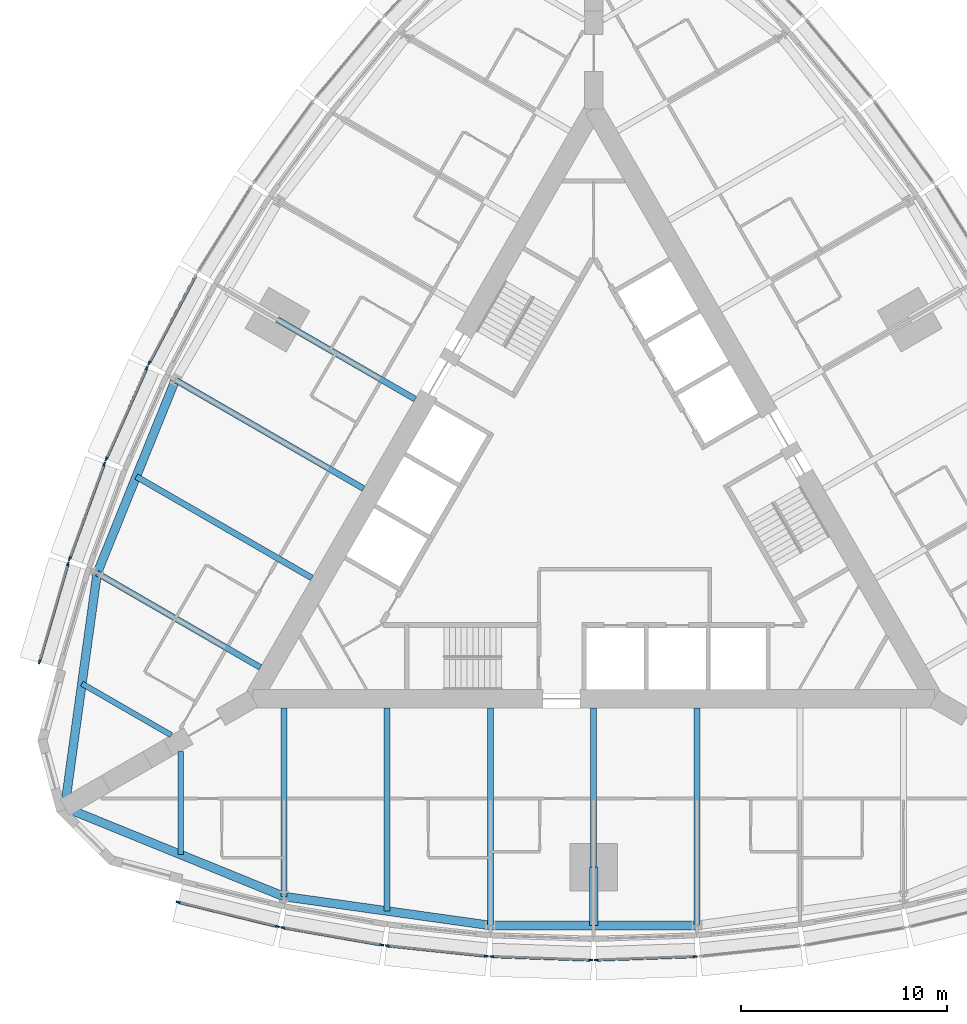
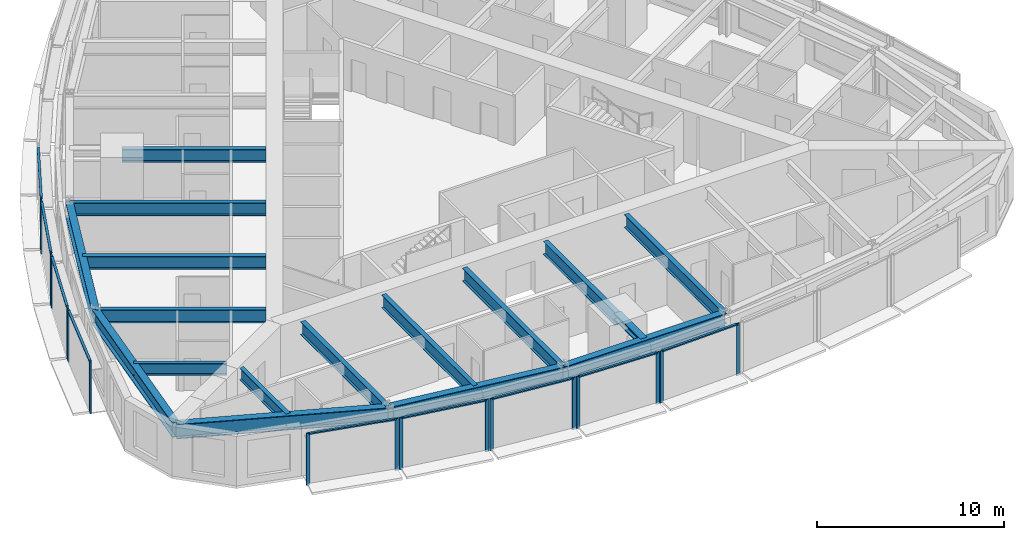
# One storey, part 2 of 14: 26 members, 17 beams, 9 elements without a shape of their own.
"""IFC4 building model written with IfcOpenShell, lengths in metres."""

import ifcopenshell
import ifcopenshell.guid

model = None  # the IFC model being written
_history = None  # IfcOwnerHistory: only IFC2X3 demands one
_inside = {}  # id of a spatial element -> (the spatial element, [elements in it])
_under = {}  # id of a project, library or spatial element -> (it, [spatial elements below it])
_declared = {}  # id of a project -> (the project, [libraries it declares])
_typed = {}  # id of a type object -> (the type object, [elements of that type])
_made_of = {}  # id of a material, layer set ... -> (it, [elements and type objects made of it])


def new_model(schema):
    """Start an empty IFC model of exactly this schema.

    Asked for "IFC4X3", IfcOpenShell would pick the latest addendum, in which some entities
    have other attributes; the version numbers below select the first issue.
    IFC2X3 requires an IfcOwnerHistory on every rooted entity: one is made here for all.
    """
    global model, _history
    if schema == "IFC4X3":
        model = ifcopenshell.file(schema_version=(4, 3, 0, 0))
    else:
        model = ifcopenshell.file(schema=schema)
    _inside.clear()
    _under.clear()
    _declared.clear()
    _typed.clear()
    _made_of.clear()
    _history = None
    if model.schema == "IFC2X3":
        org = make("IfcOrganization", Name="unknown")
        user = make(
            "IfcPersonAndOrganization",
            ThePerson=make("IfcPerson", FamilyName="unknown"),
            TheOrganization=org,
        )
        app = make(
            "IfcApplication",
            ApplicationDeveloper=org,
            Version="unknown",
            ApplicationFullName="unknown",
            ApplicationIdentifier="unknown",
        )
        _history = make(
            "IfcOwnerHistory",
            OwningUser=user,
            OwningApplication=app,
            ChangeAction="ADDED",
            CreationDate=0,
        )
    return model


def make(cls, **values):
    """One entity of the class cls with the attributes given. An attribute that is None is left unset."""
    return model.create_entity(
        cls, **{name: value for name, value in values.items() if value is not None}
    )


def rooted(cls, **values):
    """An entity with a GlobalId (a new one), such as an element, a storey or a relation."""
    return make(cls, GlobalId=ifcopenshell.guid.new(), OwnerHistory=_history, **values)


def si_unit(unit_type, name, prefix=None):
    """IfcSIUnit, for example si_unit("LENGTHUNIT", "METRE", prefix="MILLI")."""
    return make("IfcSIUnit", UnitType=unit_type, Prefix=prefix, Name=name)


def assignment(units):
    """IfcUnitAssignment: the units of a project."""
    return None if units is None else make("IfcUnitAssignment", Units=units)


def point(xyz):
    """IfcCartesianPoint."""
    return None if xyz is None else make("IfcCartesianPoint", Coordinates=xyz)


def direction(xyz):
    """IfcDirection."""
    return None if xyz is None else make("IfcDirection", DirectionRatios=xyz)


def frame(location, z_axis=None, x_axis=None):
    """IfcAxis2Placement3D, a coordinate frame: its origin and axes. An axis left out is left unset."""
    return make(
        "IfcAxis2Placement3D",
        Location=point(location),
        Axis=direction(z_axis),
        RefDirection=direction(x_axis),
    )


def frame_2d(location, x_axis=None):
    """IfcAxis2Placement2D, a coordinate frame in the plane: its origin and x axis."""
    return make(
        "IfcAxis2Placement2D", Location=point(location), RefDirection=direction(x_axis)
    )


def origin():
    """The frame at (0, 0, 0) with its axes left unset."""
    return frame((0.0, 0.0, 0.0))


def origin_2d():
    """The frame at (0, 0) in the plane with its x axis left unset."""
    return frame_2d((0.0, 0.0))


def place(relative_to, where):
    """IfcLocalPlacement: puts the frame where relative to a parent placement (None: the world)."""
    return make(
        "IfcLocalPlacement", PlacementRelTo=relative_to, RelativePlacement=where
    )


def context(
    kind, dimensions, precision=None, world=None, true_north=None, identifier=None
):
    """IfcGeometricRepresentationContext, for example the 3D "Model" context."""
    return make(
        "IfcGeometricRepresentationContext",
        ContextIdentifier=identifier,
        ContextType=kind,
        CoordinateSpaceDimension=dimensions,
        Precision=precision,
        WorldCoordinateSystem=world,
        TrueNorth=true_north,
    )


def subcontext(parent, identifier, kind, view, scale=None):
    """IfcGeometricRepresentationSubContext, for example "Body" below "Model"."""
    return make(
        "IfcGeometricRepresentationSubContext",
        ContextIdentifier=identifier,
        ContextType=kind,
        ParentContext=parent,
        TargetScale=scale,
        TargetView=view,
    )


def project(units=None, contexts=None):
    """IfcProject with its units and contexts."""
    return rooted(
        "IfcProject",
        Name="project",
        RepresentationContexts=contexts,
        UnitsInContext=assignment(units),
    )


def spatial(cls, under=None, at=None, **own):
    """A site, building, storey or space (cls), placed at a placement, below another one or the project."""
    s = rooted(cls, ObjectPlacement=at, **own)
    if under is not None:
        _under.setdefault(under.id(), (under, []))[1].append(s)
    return s


def profile(cls, at=None, kind="AREA", **sizes):
    """A parametric profile (cls). Its sizes go by their IFC names, for example OverallWidth=200.0."""
    return make(cls, ProfileType=kind, Position=at, **sizes)


def rectangle(**sizes):
    """IfcRectangleProfileDef."""
    return profile("IfcRectangleProfileDef", **sizes)


def i_section(**sizes):
    """IfcIShapeProfileDef."""
    return profile("IfcIShapeProfileDef", **sizes)


def extrude(swept, where, along, depth):
    """IfcExtrudedAreaSolid: the profile swept, set in the frame where, extruded along a direction by depth."""
    return make(
        "IfcExtrudedAreaSolid",
        SweptArea=swept,
        Position=where,
        ExtrudedDirection=direction(along),
        Depth=depth,
    )


def shape(context_of_items, identifier, shape_type, items):
    """IfcShapeRepresentation: the items that make up one representation, for example the "Body"."""
    return make(
        "IfcShapeRepresentation",
        ContextOfItems=context_of_items,
        RepresentationIdentifier=identifier,
        RepresentationType=shape_type,
        Items=items,
    )


def material(Name=None, Category=None):
    """IfcMaterial."""
    return make("IfcMaterial", Name=Name, Category=Category)


def material_profile(
    of_material, cross_section, Name=None, Category=None, Priority=None
):
    """IfcMaterialProfile: a cross section and its material."""
    return make(
        "IfcMaterialProfile",
        Name=Name,
        Material=of_material,
        Profile=cross_section,
        Priority=Priority,
        Category=Category,
    )


def profile_set(profiles, Name=None, composite=None):
    """IfcMaterialProfileSet."""
    return make(
        "IfcMaterialProfileSet",
        Name=Name,
        MaterialProfiles=profiles,
        CompositeProfile=composite,
    )


def made_of(thing, what):
    """Note that an element or type object is made of a material, layer set ...; save() writes the relation."""
    if what is not None:
        _made_of.setdefault(what.id(), (what, []))[1].append(thing)
    return thing


def type_object(cls, material=None, **own):
    """A type object (cls), such as IfcWallType, which elements share."""
    return made_of(rooted(cls, **own), material)


def element(
    cls,
    number,
    at=None,
    inside=None,
    cuts=None,
    type_object=None,
    material=None,
    context=None,
    identifier="Body",
    shape_type=None,
    held_by="IfcProductDefinitionShape",
    body=None,
    shapes=None,
    **own,
):
    """One element of the class cls, such as IfcWall. Its Tag is "e" and its number.

    at: its placement. inside: the storey or other place that contains it. cuts: it is an
    opening in that element (IfcRelVoidsElement). A single representation is given by context,
    identifier, shape_type and body (its items); several are given by shapes. held_by: the class
    of the entity that holds the representations. save() writes the other relations.
    """
    e = rooted(cls, Tag="e%d" % number, ObjectPlacement=at, **own)
    if body is not None:
        shapes = [shape(context, identifier, shape_type, body)]
    if shapes is not None:
        e.Representation = make(held_by, Representations=shapes)
    if inside is not None:
        _inside.setdefault(inside.id(), (inside, []))[1].append(e)
    if cuts is not None:
        rooted(
            "IfcRelVoidsElement", RelatingBuildingElement=cuts, RelatedOpeningElement=e
        )
    if type_object is not None:
        _typed.setdefault(type_object.id(), (type_object, []))[1].append(e)
    return made_of(e, material)


def aggregate(whole, parts):
    """IfcRelAggregates: a whole, such as a stair, and the parts it consists of."""
    return rooted("IfcRelAggregates", RelatingObject=whole, RelatedObjects=parts)


def save(model, path):
    """Write the relations noted so far, then the file.

    IfcRelAggregates (storeys below a building ...), IfcRelContainedInSpatialStructure (elements
    in a storey), IfcRelDefinesByType, IfcRelAssociatesMaterial and IfcRelDeclares: one each for
    every whole, place, type object, material and project.
    """
    for whole, parts in _under.values():
        aggregate(whole, parts)
    for where, things in _inside.values():
        rooted(
            "IfcRelContainedInSpatialStructure",
            RelatedElements=things,
            RelatingStructure=where,
        )
    for kind, things in _typed.values():
        rooted("IfcRelDefinesByType", RelatedObjects=things, RelatingType=kind)
    for what, things in _made_of.values():
        rooted("IfcRelAssociatesMaterial", RelatedObjects=things, RelatingMaterial=what)
    for by, libraries in _declared.values():
        rooted("IfcRelDeclares", RelatingContext=by, RelatedDefinitions=libraries)
    model.write(path)


model = new_model("IFC4")

# Units and contexts
model_context = context("Model", 3, precision=1e-05, world=origin(), true_north=direction((0.0, 1.0)))
body_context = subcontext(model_context, "Body", "Model", "MODEL_VIEW")
ifc_project = project(units=[si_unit("LENGTHUNIT", "METRE"), si_unit("AREAUNIT", "SQUARE_METRE"), si_unit("VOLUMEUNIT", "CUBIC_METRE"), si_unit("PLANEANGLEUNIT", "RADIAN"), si_unit("MASSUNIT", "GRAM", prefix="KILO")], contexts=[model_context])

# Site, building, storey
site_placement = place(None, origin())
site = spatial("IfcSite", under=ifc_project, at=site_placement, CompositionType="ELEMENT")
building_placement = place(site_placement, origin())
building = spatial("IfcBuilding", under=site, at=building_placement, Name="Trikona Tower", CompositionType="ELEMENT")
storey_placement = place(building_placement, frame((0.0, 0.0, 131.699951171875)))
storey = spatial("IfcBuildingStorey", under=building, at=storey_placement, Name="L34", CompositionType="ELEMENT", Elevation=131.699951171875)

# Curtain wall, members
ifc_material_1 = material(Name="Aluminium curtain wall system", Category="aluminium")
curtain_wall_type = type_object("IfcCurtainWallType", Name="Curtain wall DS2", PredefinedType="NOTDEFINED", material=ifc_material_1)
curtain_wall_1_placement = place(storey_placement, origin())
curtain_wall_1 = element("IfcCurtainWall", 1, at=curtain_wall_1_placement, inside=storey, type_object=curtain_wall_type, Name="Curtain wall DS2 L34", PredefinedType="NOTDEFINED")
ifc_material_2 = material(Name="Aluminium mullion, pale anodised", Category="aluminium")
ifc_material_profile_1 = material_profile(ifc_material_2, rectangle(XDim=0.080078125, YDim=0.199951171875, at=origin_2d()), Name="MUL-DS2")
ifc_profile_set_1 = profile_set([ifc_material_profile_1], Name="Aluminium mullion, pale anodised")
member_type_1 = type_object("IfcMemberType", Name="Mullion DS2 80x200", PredefinedType="MULLION", material=ifc_profile_set_1)
member_1_placement = place(storey_placement, frame((-20.116943359375, -19.373046875, 0.0), z_axis=(0.0, 0.0, 1.0), x_axis=(0.237970204243, 0.971272455026, 0.0)))
member_1 = element("IfcMember", 2, at=member_1_placement, type_object=member_type_1, Name="CW-DS2 mullion 1", PredefinedType="MULLION", context=body_context, shape_type="SweptSolid", body=[
    extrude(rectangle(XDim=0.080078125, YDim=0.199951171875, at=origin_2d()), origin(), (0.0, 0.0, 1.0), 3.400146484375),
])
member_2_placement = place(storey_placement, frame((-15.311279296875, -20.550537109375, 0.0), z_axis=(0.0, 0.0, 1.0), x_axis=(0.237970204243, 0.971272455026, 0.0)))
member_2 = element("IfcMember", 3, at=member_2_placement, type_object=member_type_1, Name="CW-DS2 mullion 2", PredefinedType="MULLION", context=body_context, shape_type="SweptSolid", body=[
    extrude(rectangle(XDim=0.080078125, YDim=0.199951171875, at=origin_2d()), origin(), (0.0, 0.0, 1.0), 3.400146484375),
])

curtain_wall_2_placement = place(storey_placement, origin())
curtain_wall_2 = element("IfcCurtainWall", 4, at=curtain_wall_2_placement, inside=storey, type_object=curtain_wall_type, Name="Curtain wall DS2 L34", PredefinedType="NOTDEFINED")
member_3_placement = place(storey_placement, frame((-15.056640625, -20.60400390625, 0.0), z_axis=(0.0, 0.0, 1.0), x_axis=(0.17237739505, 0.985030981074, 0.0)))
member_3 = element("IfcMember", 5, at=member_3_placement, type_object=member_type_1, Name="CW-DS2 mullion 1", PredefinedType="MULLION", context=body_context, shape_type="SweptSolid", body=[
    extrude(rectangle(XDim=0.080078125, YDim=0.199951171875, at=origin_2d()), origin(), (0.0, 0.0, 1.0), 3.400146484375),
])
member_4_placement = place(storey_placement, frame((-10.253662109375, -21.444580078125, 0.0), z_axis=(0.0, 0.0, 1.0), x_axis=(0.17237739505, 0.985030981074, 0.0)))
member_4 = element("IfcMember", 6, at=member_4_placement, type_object=member_type_1, Name="CW-DS2 mullion 2", PredefinedType="MULLION", context=body_context, shape_type="SweptSolid", body=[
    extrude(rectangle(XDim=0.080078125, YDim=0.199951171875, at=origin_2d()), origin(), (0.0, 0.0, 1.0), 3.400146484375),
])

curtain_wall_3_placement = place(storey_placement, origin())
curtain_wall_3 = element("IfcCurtainWall", 7, at=curtain_wall_3_placement, inside=storey, type_object=curtain_wall_type, Name="Curtain wall DS2 L34", PredefinedType="NOTDEFINED")
member_5_placement = place(storey_placement, frame((-9.99462890625, -21.480712890625, 0.0), z_axis=(0.0, 0.0, 1.0), x_axis=(0.104433387357, 0.994531883654, 0.0)))
member_5 = element("IfcMember", 8, at=member_5_placement, type_object=member_type_1, Name="CW-DS2 mullion 1", PredefinedType="MULLION", context=body_context, shape_type="SweptSolid", body=[
    extrude(rectangle(XDim=0.080078125, YDim=0.199951171875, at=origin_2d()), origin(), (0.0, 0.0, 1.0), 3.400146484375),
])
member_6_placement = place(storey_placement, frame((-5.193359375, -21.98486328125, 0.0), z_axis=(0.0, 0.0, 1.0), x_axis=(0.104433387357, 0.994531883654, 0.0)))
member_6 = element("IfcMember", 9, at=member_6_placement, type_object=member_type_1, Name="CW-DS2 mullion 2", PredefinedType="MULLION", context=body_context, shape_type="SweptSolid", body=[
    extrude(rectangle(XDim=0.080078125, YDim=0.199951171875, at=origin_2d()), origin(), (0.0, 0.0, 1.0), 3.400146484375),
])

curtain_wall_4_placement = place(storey_placement, origin())
curtain_wall_4 = element("IfcCurtainWall", 10, at=curtain_wall_4_placement, inside=storey, type_object=curtain_wall_type, Name="Curtain wall DS2 L34", PredefinedType="NOTDEFINED")
member_7_placement = place(storey_placement, frame((-4.931640625, -22.003173828125, 0.0), z_axis=(0.0, 0.0, 1.0), x_axis=(0.034998320052, 0.99938737114, 0.0)))
member_7 = element("IfcMember", 11, at=member_7_placement, type_object=member_type_1, Name="CW-DS2 mullion 1", PredefinedType="MULLION", context=body_context, shape_type="SweptSolid", body=[
    extrude(rectangle(XDim=0.080078125, YDim=0.199951171875, at=origin_2d()), origin(), (0.0, 0.0, 1.0), 3.400146484375),
])
member_8_placement = place(storey_placement, frame((-0.13134765625, -22.171142578125, 0.0), z_axis=(0.0, 0.0, 1.0), x_axis=(0.034998320052, 0.99938737114, 0.0)))
member_8 = element("IfcMember", 12, at=member_8_placement, type_object=member_type_1, Name="CW-DS2 mullion 2", PredefinedType="MULLION", context=body_context, shape_type="SweptSolid", body=[
    extrude(rectangle(XDim=0.080078125, YDim=0.199951171875, at=origin_2d()), origin(), (0.0, 0.0, 1.0), 3.400146484375),
])

curtain_wall_5_placement = place(storey_placement, origin())
curtain_wall_5 = element("IfcCurtainWall", 13, at=curtain_wall_5_placement, inside=storey, type_object=curtain_wall_type, Name="Curtain wall DS2 L34", PredefinedType="NOTDEFINED")
member_9_placement = place(storey_placement, frame((0.13134765625, -22.171142578125, 0.0), z_axis=(0.0, 0.0, 1.0), x_axis=(-0.034998320052, 0.99938737114, 0.0)))
member_9 = element("IfcMember", 14, at=member_9_placement, type_object=member_type_1, Name="CW-DS2 mullion 1", PredefinedType="MULLION", context=body_context, shape_type="SweptSolid", body=[
    extrude(rectangle(XDim=0.080078125, YDim=0.199951171875, at=origin_2d()), origin(), (0.0, 0.0, 1.0), 3.400146484375),
])
member_10_placement = place(storey_placement, frame((4.931640625, -22.003173828125, 0.0), z_axis=(0.0, 0.0, 1.0), x_axis=(-0.034998320052, 0.99938737114, 0.0)))
member_10 = element("IfcMember", 15, at=member_10_placement, type_object=member_type_1, Name="CW-DS2 mullion 2", PredefinedType="MULLION", context=body_context, shape_type="SweptSolid", body=[
    extrude(rectangle(XDim=0.080078125, YDim=0.199951171875, at=origin_2d()), origin(), (0.0, 0.0, 1.0), 3.400146484375),
])

# Curtain wall, member
curtain_wall_6_placement = place(storey_placement, origin())
curtain_wall_6 = element("IfcCurtainWall", 16, at=curtain_wall_6_placement, inside=storey, type_object=curtain_wall_type, Name="Curtain wall DS2 L34", PredefinedType="NOTDEFINED")
member_11_placement = place(storey_placement, frame((-21.52099609375, 6.730712890625, 0.0), z_axis=(0.0, 0.0, 1.0), x_axis=(0.882996107343, -0.469380308937, 0.0)))
member_11 = element("IfcMember", 17, at=member_11_placement, type_object=member_type_1, Name="CW-DS2 mullion 2", PredefinedType="MULLION", context=body_context, shape_type="SweptSolid", body=[
    extrude(rectangle(XDim=0.080078125, YDim=0.199951171875, at=origin_2d()), origin(), (0.0, 0.0, 1.0), 3.400146484375),
])

# Curtain wall, members
curtain_wall_7_placement = place(storey_placement, origin())
curtain_wall_7 = element("IfcCurtainWall", 18, at=curtain_wall_7_placement, inside=storey, type_object=curtain_wall_type, Name="Curtain wall DS2 L34", PredefinedType="NOTDEFINED")
member_12_placement = place(storey_placement, frame((-21.63623046875, 6.494873046875, 0.0), z_axis=(0.0, 0.0, 1.0), x_axis=(0.913501208767, -0.406836013132, 0.0)))
member_12 = element("IfcMember", 19, at=member_12_placement, type_object=member_type_1, Name="CW-DS2 mullion 1", PredefinedType="MULLION", context=body_context, shape_type="SweptSolid", body=[
    extrude(rectangle(XDim=0.080078125, YDim=0.199951171875, at=origin_2d()), origin(), (0.0, 0.0, 1.0), 3.400146484375),
])
member_13_placement = place(storey_placement, frame((-23.60009765625, 2.0849609375, 0.0), z_axis=(0.0, 0.0, 1.0), x_axis=(0.913501208767, -0.406836013132, 0.0)))
member_13 = element("IfcMember", 20, at=member_13_placement, type_object=member_type_1, Name="CW-DS2 mullion 2", PredefinedType="MULLION", context=body_context, shape_type="SweptSolid", body=[
    extrude(rectangle(XDim=0.080078125, YDim=0.199951171875, at=origin_2d()), origin(), (0.0, 0.0, 1.0), 3.400146484375),
])

curtain_wall_8_placement = place(storey_placement, origin())
curtain_wall_8 = element("IfcCurtainWall", 21, at=curtain_wall_8_placement, inside=storey, type_object=curtain_wall_type, Name="Curtain wall DS2 L34", PredefinedType="NOTDEFINED")
member_14_placement = place(storey_placement, frame((-23.6982421875, 1.84228515625, 0.0), z_axis=(0.0, 0.0, 1.0), x_axis=(0.939253790978, -0.343223420143, 0.0)))
member_14 = element("IfcMember", 22, at=member_14_placement, type_object=member_type_1, Name="CW-DS2 mullion 1", PredefinedType="MULLION", context=body_context, shape_type="SweptSolid", body=[
    extrude(rectangle(XDim=0.080078125, YDim=0.199951171875, at=origin_2d()), origin(), (0.0, 0.0, 1.0), 3.400146484375),
])
member_15_placement = place(storey_placement, frame((-25.371826171875, -2.737548828125, 0.0), z_axis=(0.0, 0.0, 1.0), x_axis=(0.939253790978, -0.343223420143, 0.0)))
member_15 = element("IfcMember", 23, at=member_15_placement, type_object=member_type_1, Name="CW-DS2 mullion 2", PredefinedType="MULLION", context=body_context, shape_type="SweptSolid", body=[
    extrude(rectangle(XDim=0.080078125, YDim=0.199951171875, at=origin_2d()), origin(), (0.0, 0.0, 1.0), 3.400146484375),
])

curtain_wall_9_placement = place(storey_placement, origin())
curtain_wall_9 = element("IfcCurtainWall", 24, at=curtain_wall_9_placement, inside=storey, type_object=curtain_wall_type, Name="Curtain wall DS2 L34", PredefinedType="NOTDEFINED")
member_16_placement = place(storey_placement, frame((-25.452880859375, -2.984619140625, 0.0), z_axis=(0.0, 0.0, 1.0), x_axis=(0.96013310152, -0.279543247757, 0.0)))
member_16 = element("IfcMember", 25, at=member_16_placement, type_object=member_type_1, Name="CW-DS2 mullion 1", PredefinedType="MULLION", context=body_context, shape_type="SweptSolid", body=[
    extrude(rectangle(XDim=0.080078125, YDim=0.199951171875, at=origin_2d()), origin(), (0.0, 0.0, 1.0), 3.400146484375),
])
member_17_placement = place(storey_placement, frame((-26.836181640625, -7.7353515625, 0.0), z_axis=(0.0, 0.0, 1.0), x_axis=(0.96013310152, -0.279543247757, 0.0)))
member_17 = element("IfcMember", 26, at=member_17_placement, type_object=member_type_1, Name="CW-DS2 mullion 2", PredefinedType="MULLION", context=body_context, shape_type="SweptSolid", body=[
    extrude(rectangle(XDim=0.080078125, YDim=0.199951171875, at=origin_2d()), origin(), (0.0, 0.0, 1.0), 3.400146484375),
])

# Beams
ifc_material_3 = material(Name="Steel ASTM A992 Grade 50", Category="steel")
ifc_material_profile_2 = material_profile(ifc_material_3, i_section(OverallWidth=0.419189453125, OverallDepth=0.45458984375, WebThickness=0.042236328125, FlangeThickness=0.067626953125, at=origin_2d()), Name="W14X370")
ifc_profile_set_2 = profile_set([ifc_material_profile_2], Name="Steel ASTM A992 Grade 50")
beam_type_1 = type_object("IfcBeamType", Name="Steel beam W14x370 (apex bracket)", PredefinedType="BEAM", material=ifc_profile_set_2)
beam_1_placement = place(storey_placement, frame((0.0, -17.680419921875, 3.0078125), z_axis=(0.0, -1.0, 0.0), x_axis=(1.0, 0.0, 0.0)))
element("IfcBeam", 27, at=beam_1_placement, inside=storey, type_object=beam_type_1, Name="Cantilever bracket L35 F1", PredefinedType="BEAM", context=body_context, shape_type="SweptSolid", body=[
    extrude(i_section(OverallWidth=0.419189453125, OverallDepth=0.45458984375, WebThickness=0.042236328125, FlangeThickness=0.067626953125, at=origin_2d()), origin(), (0.0, 0.0, 1.0), 2.81982421875),
])
ifc_material_4 = material(Name="Steel ASTM A992 Grade 50", Category="steel")
ifc_material_profile_3 = material_profile(ifc_material_4, i_section(OverallWidth=0.2666015625, OverallDepth=0.76953125, WebThickness=0.015625, FlangeThickness=0.025390625, at=origin_2d()), Name="W30X132")
ifc_profile_set_3 = profile_set([ifc_material_profile_3], Name="Steel ASTM A992 Grade 50")
beam_type_2 = type_object("IfcBeamType", Name="Steel beam W30x132 (wedge)", PredefinedType="BEAM", material=ifc_profile_set_3)
beam_2_placement = place(storey_placement, frame((-20.0, -12.066650390625, 2.850341796875), z_axis=(0.0, -1.0, 0.0), x_axis=(1.0, 0.0, 0.0)))
element("IfcBeam", 28, at=beam_2_placement, inside=storey, type_object=beam_type_2, Name="Floor beam L35 F1 u-20", PredefinedType="BEAM", context=body_context, shape_type="SweptSolid", body=[
    extrude(i_section(OverallWidth=0.2666015625, OverallDepth=0.76953125, WebThickness=0.015625, FlangeThickness=0.025390625, at=origin_2d()), origin(), (0.0, 0.0, 1.0), 5.00048828125),
])
beam_3_placement = place(storey_placement, frame((-20.449951171875, -11.287109375, 2.850341796875), z_axis=(-0.866038434829, 0.49997742889, 0.0), x_axis=(-0.49997742889, -0.866038434829, 0.0)))
element("IfcBeam", 29, at=beam_3_placement, inside=storey, type_object=beam_type_2, Name="Floor beam L35 F3 u20", PredefinedType="BEAM", context=body_context, shape_type="SweptSolid", body=[
    extrude(i_section(OverallWidth=0.2666015625, OverallDepth=0.76953125, WebThickness=0.015625, FlangeThickness=0.025390625, at=origin_2d()), origin(), (0.0, 0.0, 1.0), 5.000732421875),
])
ifc_material_5 = material(Name="Steel ASTM A992 Grade 50", Category="steel")
ifc_material_profile_4 = material_profile(ifc_material_5, i_section(OverallWidth=0.2919921875, OverallDepth=0.845703125, WebThickness=0.015380859375, FlangeThickness=0.0244140625, at=origin_2d()), Name="W33X141")
ifc_profile_set_4 = profile_set([ifc_material_profile_4], Name="Steel ASTM A992 Grade 50")
beam_type_3 = type_object("IfcBeamType", Name="Steel beam W33x141 (radial typ)", PredefinedType="BEAM", material=ifc_profile_set_4)
beam_4_placement = place(storey_placement, frame((-15.0, -9.976318359375, 2.812255859375), z_axis=(0.0, -1.0, 0.0), x_axis=(1.0, 0.0, 0.0)))
element("IfcBeam", 30, at=beam_4_placement, inside=storey, type_object=beam_type_3, Name="Floor beam L35 F1 u-15", PredefinedType="BEAM", context=body_context, shape_type="SweptSolid", body=[
    extrude(i_section(OverallWidth=0.2919921875, OverallDepth=0.845703125, WebThickness=0.015380859375, FlangeThickness=0.0244140625, at=origin_2d()), origin(), (0.0, 0.0, 1.0), 9.123779296875),
])
beam_5_placement = place(storey_placement, frame((-10.0, -9.976318359375, 2.812255859375), z_axis=(0.0, -1.0, 0.0), x_axis=(1.0, 0.0, 0.0)))
element("IfcBeam", 31, at=beam_5_placement, inside=storey, type_object=beam_type_3, Name="Floor beam L35 F1 u-10", PredefinedType="BEAM", context=body_context, shape_type="SweptSolid", body=[
    extrude(i_section(OverallWidth=0.2919921875, OverallDepth=0.845703125, WebThickness=0.015380859375, FlangeThickness=0.0244140625, at=origin_2d()), origin(), (0.0, 0.0, 1.0), 9.823974609375),
])
beam_6_placement = place(storey_placement, frame((-5.0, -9.976318359375, 2.812255859375), z_axis=(0.0, -1.0, 0.0), x_axis=(1.0, 0.0, 0.0)))
element("IfcBeam", 32, at=beam_6_placement, inside=storey, type_object=beam_type_3, Name="Floor beam L35 F1 u-5", PredefinedType="BEAM", context=body_context, shape_type="SweptSolid", body=[
    extrude(i_section(OverallWidth=0.2919921875, OverallDepth=0.845703125, WebThickness=0.015380859375, FlangeThickness=0.0244140625, at=origin_2d()), origin(), (0.0, 0.0, 1.0), 10.52392578125),
])
beam_7_placement = place(storey_placement, frame((0.0, -9.976318359375, 2.812255859375), z_axis=(0.0, -1.0, 0.0), x_axis=(1.0, 0.0, 0.0)))
element("IfcBeam", 33, at=beam_7_placement, inside=storey, type_object=beam_type_3, Name="Floor beam L35 F1 u0", PredefinedType="BEAM", context=body_context, shape_type="SweptSolid", body=[
    extrude(i_section(OverallWidth=0.2919921875, OverallDepth=0.845703125, WebThickness=0.015380859375, FlangeThickness=0.0244140625, at=origin_2d()), origin(), (0.0, 0.0, 1.0), 7.7041015625),
])
beam_8_placement = place(storey_placement, frame((5.0, -9.976318359375, 2.812255859375), z_axis=(0.0, -1.0, 0.0), x_axis=(1.0, 0.0, 0.0)))
element("IfcBeam", 34, at=beam_8_placement, inside=storey, type_object=beam_type_3, Name="Floor beam L35 F1 u5", PredefinedType="BEAM", context=body_context, shape_type="SweptSolid", body=[
    extrude(i_section(OverallWidth=0.2919921875, OverallDepth=0.845703125, WebThickness=0.015380859375, FlangeThickness=0.0244140625, at=origin_2d()), origin(), (0.0, 0.0, 1.0), 10.52392578125),
])
beam_9_placement = place(storey_placement, frame((-8.6396484375, 4.988037109375, 2.812255859375), z_axis=(-0.866017246294, 0.500014128921, 0.0), x_axis=(-0.500014128921, -0.866017246294, 0.0)))
element("IfcBeam", 35, at=beam_9_placement, inside=storey, type_object=beam_type_3, Name="Floor beam L35 F3 u0", PredefinedType="BEAM", context=body_context, shape_type="SweptSolid", body=[
    extrude(i_section(OverallWidth=0.2919921875, OverallDepth=0.845703125, WebThickness=0.015380859375, FlangeThickness=0.0244140625, at=origin_2d()), origin(), (0.0, 0.0, 1.0), 7.704345703125),
])
beam_10_placement = place(storey_placement, frame((-11.1396484375, 0.657958984375, 2.812255859375), z_axis=(-0.866026035623, 0.499998905622, 0.0), x_axis=(-0.499998905622, -0.866026035623, 0.0)))
element("IfcBeam", 36, at=beam_10_placement, inside=storey, type_object=beam_type_3, Name="Floor beam L35 F3 u5", PredefinedType="BEAM", context=body_context, shape_type="SweptSolid", body=[
    extrude(i_section(OverallWidth=0.2919921875, OverallDepth=0.845703125, WebThickness=0.015380859375, FlangeThickness=0.0244140625, at=origin_2d()), origin(), (0.0, 0.0, 1.0), 10.52392578125),
])
beam_11_placement = place(storey_placement, frame((-13.6396484375, -3.672119140625, 2.812255859375), z_axis=(-0.866020046725, 0.500009278584, 0.0), x_axis=(-0.500009278584, -0.866020046725, 0.0)))
element("IfcBeam", 37, at=beam_11_placement, inside=storey, type_object=beam_type_3, Name="Floor beam L35 F3 u10", PredefinedType="BEAM", context=body_context, shape_type="SweptSolid", body=[
    extrude(i_section(OverallWidth=0.2919921875, OverallDepth=0.845703125, WebThickness=0.015380859375, FlangeThickness=0.0244140625, at=origin_2d()), origin(), (0.0, 0.0, 1.0), 9.823974609375),
])
beam_12_placement = place(storey_placement, frame((-16.1396484375, -8.002197265625, 2.812255859375), z_axis=(-0.866024725532, 0.500001174766, 0.0), x_axis=(-0.500001174766, -0.866024725532, 0.0)))
element("IfcBeam", 38, at=beam_12_placement, inside=storey, type_object=beam_type_3, Name="Floor beam L35 F3 u15", PredefinedType="BEAM", context=body_context, shape_type="SweptSolid", body=[
    extrude(i_section(OverallWidth=0.2919921875, OverallDepth=0.845703125, WebThickness=0.015380859375, FlangeThickness=0.0244140625, at=origin_2d()), origin(), (0.0, 0.0, 1.0), 9.1240234375),
])
ifc_material_6 = material(Name="Steel ASTM A992 Grade 50", Category="steel")
ifc_material_profile_5 = material_profile(ifc_material_6, i_section(OverallWidth=0.424072265625, OverallDepth=0.947509765625, WebThickness=0.02392578125, FlangeThickness=0.042724609375, at=origin_2d()), Name="W36X302")
ifc_profile_set_5 = profile_set([ifc_material_profile_5], Name="Steel ASTM A992 Grade 50")
beam_type_4 = type_object("IfcBeamType", Name="Steel beam W36x302 (spandrel)", PredefinedType="SPANDREL", material=ifc_profile_set_5)
beam_13_placement = place(storey_placement, frame((-25.6103515625, -14.7861328125, 2.76123046875), z_axis=(0.926359695662, -0.376640032728, 0.0), x_axis=(0.376640032728, 0.926359695662, 0.0)))
element("IfcBeam", 39, at=beam_13_placement, inside=storey, type_object=beam_type_4, Name="Spandrel beam L35 F1-1", PredefinedType="SPANDREL", context=body_context, shape_type="SweptSolid", body=[
    extrude(i_section(OverallWidth=0.424072265625, OverallDepth=0.947509765625, WebThickness=0.02392578125, FlangeThickness=0.042724609375, at=origin_2d()), origin(), (0.0, 0.0, 1.0), 11.453857421875),
])
beam_14_placement = place(storey_placement, frame((-15.0, -19.10009765625, 2.76123046875), z_axis=(0.990339754644, -0.13866207258, 0.0), x_axis=(0.13866207258, 0.990339754644, 0.0)))
element("IfcBeam", 40, at=beam_14_placement, inside=storey, type_object=beam_type_4, Name="Spandrel beam L35 F1-2", PredefinedType="SPANDREL", context=body_context, shape_type="SweptSolid", body=[
    extrude(i_section(OverallWidth=0.424072265625, OverallDepth=0.947509765625, WebThickness=0.02392578125, FlangeThickness=0.042724609375, at=origin_2d()), origin(), (0.0, 0.0, 1.0), 10.09765625),
])
beam_15_placement = place(storey_placement, frame((-5.0, -20.500244140625, 2.76123046875), z_axis=(1.0, 0.0, 0.0), x_axis=(0.0, 1.0, 0.0)))
element("IfcBeam", 41, at=beam_15_placement, inside=storey, type_object=beam_type_4, Name="Spandrel beam L35 F1-3", PredefinedType="SPANDREL", context=body_context, shape_type="SweptSolid", body=[
    extrude(i_section(OverallWidth=0.424072265625, OverallDepth=0.947509765625, WebThickness=0.02392578125, FlangeThickness=0.042724609375, at=origin_2d()), origin(), (0.0, 0.0, 1.0), 10.0),
])
beam_16_placement = place(storey_placement, frame((-20.253662109375, 5.919921875, 2.76123046875), z_axis=(-0.375106193787, -0.926981846307, 0.0), x_axis=(0.926981846307, -0.375106193787, 0.0)))
element("IfcBeam", 42, at=beam_16_placement, inside=storey, type_object=beam_type_4, Name="Spandrel beam L35 F3-4", PredefinedType="SPANDREL", context=body_context, shape_type="SweptSolid", body=[
    extrude(i_section(OverallWidth=0.424072265625, OverallDepth=0.947509765625, WebThickness=0.02392578125, FlangeThickness=0.042724609375, at=origin_2d()), origin(), (0.0, 0.0, 1.0), 10.097412109375),
])
beam_17_placement = place(storey_placement, frame((-24.041259765625, -3.440185546875, 2.76123046875), z_axis=(-0.136991535842, -0.990572218017, 0.0), x_axis=(0.990572218017, -0.136991535842, 0.0)))
element("IfcBeam", 43, at=beam_17_placement, inside=storey, type_object=beam_type_4, Name="Spandrel beam L35 F3-5", PredefinedType="SPANDREL", context=body_context, shape_type="SweptSolid", body=[
    extrude(i_section(OverallWidth=0.424072265625, OverallDepth=0.947509765625, WebThickness=0.02392578125, FlangeThickness=0.042724609375, at=origin_2d()), origin(), (0.0, 0.0, 1.0), 11.453857421875),
])

# Member
ifc_material_7 = material(Name="Aluminium transom, pale anodised", Category="aluminium")
ifc_material_profile_6 = material_profile(ifc_material_7, rectangle(XDim=0.139892578125, YDim=0.080078125, at=origin_2d()), Name="TRN-DS2")
ifc_profile_set_6 = profile_set([ifc_material_profile_6], Name="Aluminium transom, pale anodised")
member_type_2 = type_object("IfcMemberType", Name="Transom DS2 80x140", PredefinedType="USERDEFINED", material=ifc_profile_set_6)
member_18_placement = place(storey_placement, frame((-20.078125, -19.382568359375, 3.360107421875), z_axis=(0.971270583303, -0.237977843528, 0.0), x_axis=(0.237977843528, 0.971270583303, 0.0)))
member_18 = element("IfcMember", 44, at=member_18_placement, type_object=member_type_2, Name="CW-DS2 transom 1.1", ObjectType="TRANSOM", PredefinedType="USERDEFINED", context=body_context, shape_type="SweptSolid", body=[
    extrude(rectangle(XDim=0.139892578125, YDim=0.080078125, at=origin_2d()), origin(), (0.0, 0.0, 1.0), 4.867919921875),
])

aggregate(curtain_wall_1, [member_1, member_2, member_18])

member_19_placement = place(storey_placement, frame((-15.01708984375, -20.61083984375, 3.360107421875), z_axis=(0.98503262804, -0.172367983387, 0.0), x_axis=(0.172367983387, 0.98503262804, 0.0)))
member_19 = element("IfcMember", 45, at=member_19_placement, type_object=member_type_2, Name="CW-DS2 transom 1.1", ObjectType="TRANSOM", PredefinedType="USERDEFINED", context=body_context, shape_type="SweptSolid", body=[
    extrude(rectangle(XDim=0.139892578125, YDim=0.080078125, at=origin_2d()), origin(), (0.0, 0.0, 1.0), 4.7958984375),
])

aggregate(curtain_wall_2, [member_3, member_4, member_19])

member_20_placement = place(storey_placement, frame((-9.954833984375, -21.48486328125, 3.360107421875), z_axis=(0.99453106441, -0.104441188822, 0.0), x_axis=(0.104441188822, 0.99453106441, 0.0)))
member_20 = element("IfcMember", 46, at=member_20_placement, type_object=member_type_2, Name="CW-DS2 transom 1.1", ObjectType="TRANSOM", PredefinedType="USERDEFINED", context=body_context, shape_type="SweptSolid", body=[
    extrude(rectangle(XDim=0.139892578125, YDim=0.080078125, at=origin_2d()), origin(), (0.0, 0.0, 1.0), 4.74755859375),
])

aggregate(curtain_wall_3, [member_5, member_6, member_20])

member_21_placement = place(storey_placement, frame((-4.8916015625, -22.00439453125, 3.360107421875), z_axis=(0.999385692759, -0.035046213908, 0.0), x_axis=(0.035046213908, 0.999385692759, 0.0)))
member_21 = element("IfcMember", 47, at=member_21_placement, type_object=member_type_2, Name="CW-DS2 transom 1.1", ObjectType="TRANSOM", PredefinedType="USERDEFINED", context=body_context, shape_type="SweptSolid", body=[
    extrude(rectangle(XDim=0.139892578125, YDim=0.080078125, at=origin_2d()), origin(), (0.0, 0.0, 1.0), 4.72314453125),
])

aggregate(curtain_wall_4, [member_7, member_8, member_21])

member_22_placement = place(storey_placement, frame((0.17138671875, -22.169921875, 3.360107421875), z_axis=(0.999385692759, 0.035046213908, 0.0), x_axis=(-0.035046213908, 0.999385692759, 0.0)))
member_22 = element("IfcMember", 48, at=member_22_placement, type_object=member_type_2, Name="CW-DS2 transom 1.1", ObjectType="TRANSOM", PredefinedType="USERDEFINED", context=body_context, shape_type="SweptSolid", body=[
    extrude(rectangle(XDim=0.139892578125, YDim=0.080078125, at=origin_2d()), origin(), (0.0, 0.0, 1.0), 4.72314453125),
])

aggregate(curtain_wall_5, [member_9, member_10, member_22])

member_23_placement = place(storey_placement, frame((-19.285400390625, 10.9365234375, 3.360107421875), z_axis=(-0.469364343408, -0.883004594063, 0.0), x_axis=(0.883004594063, -0.469364343408, 0.0)))
member_23 = element("IfcMember", 49, at=member_23_placement, type_object=member_type_2, Name="CW-DS2 transom 1.1", ObjectType="TRANSOM", PredefinedType="USERDEFINED", context=body_context, shape_type="SweptSolid", body=[
    extrude(rectangle(XDim=0.139892578125, YDim=0.080078125, at=origin_2d()), origin(), (0.0, 0.0, 1.0), 4.722900390625),
])

aggregate(curtain_wall_6, [member_11, member_23])

member_24_placement = place(storey_placement, frame((-21.65234375, 6.458251953125, 3.360107421875), z_axis=(-0.406839769607, -0.913499535778, 0.0), x_axis=(0.913499535778, -0.406839769607, 0.0)))
member_24 = element("IfcMember", 50, at=member_24_placement, type_object=member_type_2, Name="CW-DS2 transom 1.1", ObjectType="TRANSOM", PredefinedType="USERDEFINED", context=body_context, shape_type="SweptSolid", body=[
    extrude(rectangle(XDim=0.139892578125, YDim=0.080078125, at=origin_2d()), origin(), (0.0, 0.0, 1.0), 4.747314453125),
])

aggregate(curtain_wall_7, [member_12, member_13, member_24])

member_25_placement = place(storey_placement, frame((-23.712158203125, 1.8046875, 3.360107421875), z_axis=(-0.343205907674, -0.939260190223, 0.0), x_axis=(0.939260190223, -0.343205907674, 0.0)))
member_25 = element("IfcMember", 51, at=member_25_placement, type_object=member_type_2, Name="CW-DS2 transom 1.1", ObjectType="TRANSOM", PredefinedType="USERDEFINED", context=body_context, shape_type="SweptSolid", body=[
    extrude(rectangle(XDim=0.139892578125, YDim=0.080078125, at=origin_2d()), origin(), (0.0, 0.0, 1.0), 4.7958984375),
])

aggregate(curtain_wall_8, [member_14, member_15, member_25])

member_26_placement = place(storey_placement, frame((-25.464111328125, -3.023193359375, 3.360107421875), z_axis=(-0.279566628153, -0.960126293996, 0.0), x_axis=(0.960126293996, -0.279566628153, 0.0)))
member_26 = element("IfcMember", 52, at=member_26_placement, type_object=member_type_2, Name="CW-DS2 transom 1.1", ObjectType="TRANSOM", PredefinedType="USERDEFINED", context=body_context, shape_type="SweptSolid", body=[
    extrude(rectangle(XDim=0.139892578125, YDim=0.080078125, at=origin_2d()), origin(), (0.0, 0.0, 1.0), 4.86767578125),
])

aggregate(curtain_wall_9, [member_16, member_17, member_26])

save(model, "model.ifc")
